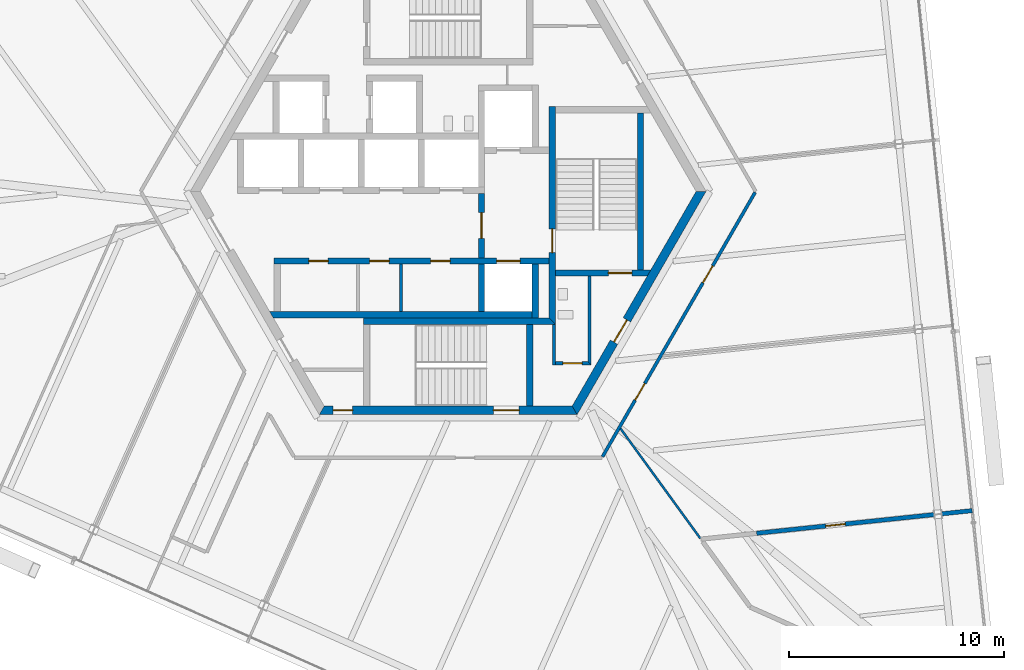
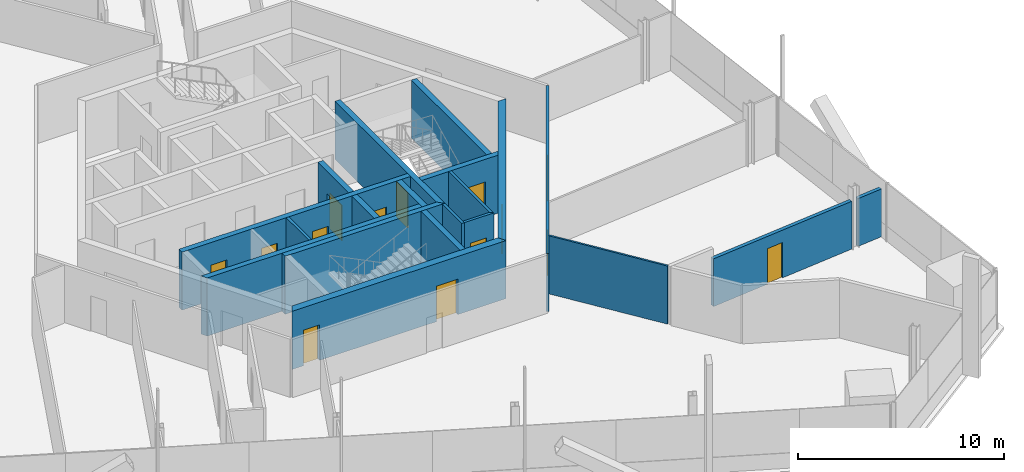
# One storey, part 12 of 21: 20 walls, 14 doors, 14 openings.
"""IFC4 building model written with IfcOpenShell, lengths in metres."""

from ifc_helpers import new_model, si_unit, direction, frame, frame_2d, origin, place, context, subcontext, project, spatial, polyline, rectangle, outline, extrude, source, transform, mapped, material, layer, layer_set, type_object, element, fill, save


model = new_model("IFC4")

# Units and contexts
model_context = context("Model", 3, precision=1e-05, world=origin(), true_north=direction((0.0, 1.0)))
body_context = subcontext(model_context, "Body", "Model", "MODEL_VIEW")
ifc_project = project(units=[si_unit("LENGTHUNIT", "METRE"), si_unit("AREAUNIT", "SQUARE_METRE"), si_unit("VOLUMEUNIT", "CUBIC_METRE"), si_unit("PLANEANGLEUNIT", "RADIAN"), si_unit("MASSUNIT", "GRAM", prefix="KILO")], contexts=[model_context])

# Site, building, storey
site_placement = place(None, origin())
site = spatial("IfcSite", under=ifc_project, at=site_placement, CompositionType="ELEMENT")
building_placement = place(site_placement, origin())
building = spatial("IfcBuilding", under=site, at=building_placement, Name="Triune Harvest Tower", CompositionType="ELEMENT")
storey_placement = place(building_placement, frame((0.0, 0.0, 65.699951171875)))
storey = spatial("IfcBuildingStorey", under=building, at=storey_placement, Name="L15", CompositionType="ELEMENT", Elevation=65.699951171875)

# Wall
ifc_material_1 = material(Name="Gypsum board on steel studs", Category="steel")
ifc_layer_1 = layer(ifc_material_1, 0.199951171875)
ifc_layer_set_1 = layer_set([ifc_layer_1], Name="Gypsum board on steel studs")
wall_type_1 = type_object("IfcWallType", Name="Fire Wall 200 mm", PredefinedType="PARTITIONING", material=ifc_layer_set_1)
wall_1_placement = place(storey_placement, frame((22.9736328125, -15.00537109375, 0.0), z_axis=(0.0, 0.0, 1.0), x_axis=(0.994509224768, 0.10464894577, 0.0)))
element("IfcWall", 1, at=wall_1_placement, inside=storey, type_object=wall_type_1, Name="Partition L15 023", PredefinedType="PARTITIONING", context=body_context, shape_type="SweptSolid", body=[
    extrude(rectangle(XDim=1.41845703125, YDim=0.199951171875, at=frame_2d((0.709228515625, 0.0))), origin(), (0.0, 0.0, 1.0), 2.827880859375),
])

# Wall, openings, doors
ifc_material_2 = material(Name="Concrete 70 MPa", Category="concrete")
ifc_layer_2 = layer(ifc_material_2, 0.39990234375)
ifc_layer_set_2 = layer_set([ifc_layer_2], Name="Concrete 70 MPa")
wall_type_2 = type_object("IfcWallType", Name="Core wall 400", PredefinedType="SHEAR", material=ifc_layer_set_2)
shared_shape_1 = source(origin(), body_context, "Body", "SweptSolid", [
    extrude(outline(polyline([(-0.115478515625, -0.199951171875), (11.884521484375, -0.199951171875), (11.653564453125, 0.199951171875), (0.115478515625, 0.199951171875), (-0.115478515625, -0.199951171875)])), origin(), (0.0, 0.0, 1.0), 3.43994140625),
])
wall_2_placement = place(storey_placement, frame((-5.884521484375, -10.1923828125, 0.0), z_axis=(0.0, 0.0, 1.0), x_axis=(1.0, 0.0, 0.0)))
wall_2 = element("IfcWall", 2, at=wall_2_placement, inside=storey, type_object=wall_type_2, Name="Hexagon 4 wall", PredefinedType="SHEAR", context=body_context, shape_type="MappedRepresentation", body=[
    mapped(shared_shape_1, transform((0.0, 0.0, 0.0), scale=1.0)),
])
opening_1_placement = place(wall_2_placement, frame((7.984619140625, 0.0, 0.0)))
opening_1 = element("IfcOpeningElement", 3, at=opening_1_placement, cuts=wall_2, Name="Opening CD-S2P", PredefinedType="OPENING", context=body_context, shape_type="SweptSolid", body=[
    extrude(rectangle(XDim=1.199951171875, YDim=2.10009765625, at=frame_2d((0.60009765625, 1.050048828125))), frame((0.0, 0.2099609375, 0.0), z_axis=(0.0, -1.0, 0.0), x_axis=(1.0, 0.0, 0.0)), (0.0, 0.0, 1.0), 0.419921875),
])
opening_2_placement = place(wall_2_placement, frame((0.534423828125, 0.0, 0.0)))
opening_2 = element("IfcOpeningElement", 4, at=opening_2_placement, cuts=wall_2, Name="Opening CD-SWS", PredefinedType="OPENING", context=body_context, shape_type="SweptSolid", body=[
    extrude(rectangle(XDim=0.89990234375, YDim=2.10009765625, at=frame_2d((0.449951171875, 1.050048828125))), frame((0.0, 0.2099609375, 0.0), z_axis=(0.0, -1.0, 0.0), x_axis=(1.0, 0.0, 0.0)), (0.0, 0.0, 1.0), 0.419921875),
])
ifc_material_3 = material(Name="Steel S235", Category="steel")
door_type_1 = type_object("IfcDoorType", Name="Riser door 900 FD120", OperationType="SINGLE_SWING_LEFT", PredefinedType="DOOR", material=ifc_material_3)
door_1_placement = place(opening_2_placement, frame((0.89990234375, 0.0, 0.0), z_axis=(0.0, 0.0, 1.0), x_axis=(-1.0, 0.0, 0.0)))
door_1 = element("IfcDoor", 5, at=door_1_placement, inside=storey, type_object=door_type_1, Name="Door CD-SWS", OperationType="SINGLE_SWING_RIGHT", OverallHeight=2.10009765625, OverallWidth=0.89990234375, PredefinedType="DOOR", context=body_context, shape_type="SweptSolid", body=[
    extrude(rectangle(XDim=0.89990234375, YDim=2.10009765625, at=frame_2d((0.449951171875, 1.050048828125))), frame((0.0, 0.02490234375, 0.0), z_axis=(0.0, -1.0, 0.0), x_axis=(1.0, 0.0, 0.0)), (0.0, 0.0, 1.0), 0.050048828125),
])
fill(opening_2, door_1)
ifc_material_4 = material(Name="Steel S235", Category="steel")
door_type_2 = type_object("IfcDoorType", Name="Stair door 1200 FD120", OperationType="SINGLE_SWING_LEFT", PredefinedType="DOOR", material=ifc_material_4)
door_2_placement = place(opening_1_placement, frame((1.199951171875, 0.0, 0.0), z_axis=(0.0, 0.0, 1.0), x_axis=(-1.0, 0.0, 0.0)))
door_2 = element("IfcDoor", 6, at=door_2_placement, inside=storey, type_object=door_type_2, Name="Door CD-S2P", OperationType="SINGLE_SWING_RIGHT", OverallHeight=2.10009765625, OverallWidth=1.199951171875, PredefinedType="DOOR", context=body_context, shape_type="SweptSolid", body=[
    extrude(rectangle(XDim=1.199951171875, YDim=2.10009765625, at=frame_2d((0.60009765625, 1.050048828125))), frame((0.0, 0.02490234375, 0.0), z_axis=(0.0, -1.0, 0.0), x_axis=(1.0, 0.0, 0.0)), (0.0, 0.0, 1.0), 0.050048828125),
])
fill(opening_1, door_2)

# Wall, opening, door
wall_3_placement = place(storey_placement, frame((5.884521484375, -10.1923828125, 0.0), z_axis=(0.0, 0.0, 1.0), x_axis=(0.499996592174, 0.866027371285, 0.0)))
wall_3 = element("IfcWall", 7, at=wall_3_placement, inside=storey, type_object=wall_type_2, Name="Hexagon 5 wall", PredefinedType="SHEAR", context=body_context, shape_type="MappedRepresentation", body=[
    mapped(shared_shape_1, transform((0.0, 0.0, 0.0), scale=1.0)),
])
opening_3_placement = place(wall_3_placement, frame((3.66455078125, 0.0, 0.0)))
opening_3 = element("IfcOpeningElement", 8, at=opening_3_placement, cuts=wall_3, Name="Opening CD-DP", PredefinedType="OPENING", context=body_context, shape_type="SweptSolid", body=[
    extrude(rectangle(XDim=1.199951171875, YDim=2.10009765625, at=frame_2d((0.60009765625, 1.050048828125))), frame((0.0, 0.2099609375, 0.0), z_axis=(0.0, -1.0, 0.0), x_axis=(1.0, 0.0, 0.0)), (0.0, 0.0, 1.0), 0.419921875),
])
door_3_placement = place(opening_3_placement, frame((1.199951171875, 0.0, 0.0), z_axis=(0.0, 0.0, 1.0), x_axis=(-1.0, 0.0, 0.0)))
door_3 = element("IfcDoor", 9, at=door_3_placement, inside=storey, type_object=door_type_2, Name="Door CD-DP", OperationType="SINGLE_SWING_RIGHT", OverallHeight=2.10009765625, OverallWidth=1.199951171875, PredefinedType="DOOR", context=body_context, shape_type="SweptSolid", body=[
    extrude(rectangle(XDim=1.199951171875, YDim=2.10009765625, at=frame_2d((0.60009765625, 1.050048828125))), frame((0.0, 0.02490234375, 0.0), z_axis=(0.0, -1.0, 0.0), x_axis=(1.0, 0.0, 0.0)), (0.0, 0.0, 1.0), 0.050048828125),
])
fill(opening_3, door_3)

# Wall
ifc_material_5 = material(Name="Concrete 70 MPa", Category="concrete")
ifc_layer_3 = layer(ifc_material_5, 0.300048828125)
ifc_layer_set_3 = layer_set([ifc_layer_3], Name="Concrete 70 MPa")
wall_type_3 = type_object("IfcWallType", Name="Core wall 300", PredefinedType="SHEAR", material=ifc_layer_set_3)
shared_shape_2 = source(origin(), body_context, "Body", "SweptSolid", [
    extrude(rectangle(XDim=2.5, YDim=0.300048828125, at=frame_2d((1.25, 0.0))), origin(), (0.0, 0.0, 1.0), 3.43994140625),
])
wall_4_placement = place(storey_placement, frame((4.050048828125, -5.889892578125, 0.0), z_axis=(0.0, 0.0, 1.0), x_axis=(0.0, 1.0, 0.0)))
element("IfcWall", 10, at=wall_4_placement, inside=storey, type_object=wall_type_3, Name="Ff2 east wall", PredefinedType="SHEAR", context=body_context, shape_type="MappedRepresentation", body=[
    mapped(shared_shape_2, transform((0.0, 0.0, 0.0), scale=1.0)),
])

# Wall, opening, door
shared_shape_3 = source(origin(), body_context, "Body", "SweptSolid", [
    extrude(rectangle(XDim=3.0, YDim=0.300048828125, at=frame_2d((1.5, 0.0))), origin(), (0.0, 0.0, 1.0), 3.43994140625),
])
wall_5_placement = place(storey_placement, frame((1.550048828125, -3.090087890625, 0.0), z_axis=(0.0, 0.0, 1.0), x_axis=(0.0, 1.0, 0.0)))
wall_5 = element("IfcWall", 11, at=wall_5_placement, inside=storey, type_object=wall_type_3, Name="Ff lobby west wall", PredefinedType="SHEAR", context=body_context, shape_type="MappedRepresentation", body=[
    mapped(shared_shape_3, transform((0.0, 0.0, 0.0), scale=1.0)),
])
opening_4_placement = place(wall_5_placement, frame((0.89990234375, 0.0, 0.0)))
opening_4 = element("IfcOpeningElement", 12, at=opening_4_placement, cuts=wall_5, Name="Opening CD-FL", PredefinedType="OPENING", context=body_context, shape_type="SweptSolid", body=[
    extrude(rectangle(XDim=1.199951171875, YDim=2.10009765625, at=frame_2d((0.60009765625, 1.050048828125))), frame((0.0, 0.16015625, 0.0), z_axis=(0.0, -1.0, 0.0), x_axis=(1.0, 0.0, 0.0)), (0.0, 0.0, 1.0), 0.320068359375),
])
ifc_material_6 = material(Name="Steel S235", Category="steel")
door_type_3 = type_object("IfcDoorType", Name="Firefighters' lobby door 1200 FD120", OperationType="SINGLE_SWING_LEFT", PredefinedType="DOOR", material=ifc_material_6)
door_4_placement = place(opening_4_placement, frame((1.199951171875, 0.0, 0.0), z_axis=(0.0, 0.0, 1.0), x_axis=(-1.0, 0.0, 0.0)))
door_4 = element("IfcDoor", 13, at=door_4_placement, inside=storey, type_object=door_type_3, Name="Door CD-FL", OperationType="SINGLE_SWING_RIGHT", OverallHeight=2.10009765625, OverallWidth=1.199951171875, PredefinedType="DOOR", context=body_context, shape_type="SweptSolid", body=[
    extrude(rectangle(XDim=1.199951171875, YDim=2.10009765625, at=frame_2d((0.60009765625, 1.050048828125))), frame((0.0, 0.02490234375, 0.0), z_axis=(0.0, -1.0, 0.0), x_axis=(1.0, 0.0, 0.0)), (0.0, 0.0, 1.0), 0.050048828125),
])
fill(opening_4, door_4)

# Wall, openings, doors
shared_shape_4 = source(origin(), body_context, "Body", "SweptSolid", [
    extrude(rectangle(XDim=12.800048828125, YDim=0.300048828125, at=frame_2d((6.39990234375, 0.0))), origin(), (0.0, 0.0, 1.0), 3.43994140625),
])
wall_6_placement = place(storey_placement, frame((-8.10009765625, -3.239990234375, 0.0), z_axis=(0.0, 0.0, 1.0), x_axis=(1.0, 0.0, 0.0)))
wall_6 = element("IfcWall", 14, at=wall_6_placement, inside=storey, type_object=wall_type_3, Name="South front wall", PredefinedType="SHEAR", context=body_context, shape_type="MappedRepresentation", body=[
    mapped(shared_shape_4, transform((0.0, 0.0, 0.0), scale=1.0)),
])
opening_5_placement = place(wall_6_placement, frame((1.612548828125, 0.0, 0.0)))
opening_5 = element("IfcOpeningElement", 15, at=opening_5_placement, cuts=wall_6, Name="Opening CD-RS1", PredefinedType="OPENING", context=body_context, shape_type="SweptSolid", body=[
    extrude(rectangle(XDim=0.89990234375, YDim=2.10009765625, at=frame_2d((0.449951171875, 1.050048828125))), frame((0.0, 0.16015625, 0.0), z_axis=(0.0, -1.0, 0.0), x_axis=(1.0, 0.0, 0.0)), (0.0, 0.0, 1.0), 0.320068359375),
])
opening_6_placement = place(wall_6_placement, frame((4.449951171875, 0.0, 0.0)))
opening_6 = element("IfcOpeningElement", 16, at=opening_6_placement, cuts=wall_6, Name="Opening CD-RS2", PredefinedType="OPENING", context=body_context, shape_type="SweptSolid", body=[
    extrude(rectangle(XDim=0.89990234375, YDim=2.10009765625, at=frame_2d((0.449951171875, 1.050048828125))), frame((0.0, 0.16015625, 0.0), z_axis=(0.0, -1.0, 0.0), x_axis=(1.0, 0.0, 0.0)), (0.0, 0.0, 1.0), 0.320068359375),
])
opening_7_placement = place(wall_6_placement, frame((7.28759765625, 0.0, 0.0)))
opening_7 = element("IfcOpeningElement", 17, at=opening_7_placement, cuts=wall_6, Name="Opening CD-RS3", PredefinedType="OPENING", context=body_context, shape_type="SweptSolid", body=[
    extrude(rectangle(XDim=0.89990234375, YDim=2.10009765625, at=frame_2d((0.449951171875, 1.050048828125))), frame((0.0, 0.16015625, 0.0), z_axis=(0.0, -1.0, 0.0), x_axis=(1.0, 0.0, 0.0)), (0.0, 0.0, 1.0), 0.320068359375),
])
opening_8_placement = place(wall_6_placement, frame((10.35009765625, 0.0, 0.0)))
opening_8 = element("IfcOpeningElement", 18, at=opening_8_placement, cuts=wall_6, Name="Opening LD-FF2-15", PredefinedType="OPENING", context=body_context, shape_type="SweptSolid", body=[
    extrude(rectangle(XDim=1.10009765625, YDim=2.10009765625, at=frame_2d((0.550048828125, 1.050048828125))), frame((0.0, 0.16015625, 0.0), z_axis=(0.0, -1.0, 0.0), x_axis=(1.0, 0.0, 0.0)), (0.0, 0.0, 1.0), 0.320068359375),
])
ifc_material_7 = material(Name="Stainless steel AISI 304", Category="steel")
door_type_4 = type_object("IfcDoorType", Name="Landing door 1100 x 2100", OperationType="DOUBLE_DOOR_SLIDING", PredefinedType="DOOR", material=ifc_material_7)
door_5_placement = place(opening_8_placement, origin())
door_5 = element("IfcDoor", 19, at=door_5_placement, inside=storey, type_object=door_type_4, Name="Door LD-FF2-15", OperationType="DOUBLE_DOOR_SLIDING", OverallHeight=2.10009765625, OverallWidth=1.10009765625, PredefinedType="DOOR", context=body_context, shape_type="SweptSolid", body=[
    extrude(rectangle(XDim=1.10009765625, YDim=2.10009765625, at=frame_2d((0.550048828125, 1.050048828125))), frame((0.0, 0.02490234375, 0.0), z_axis=(0.0, -1.0, 0.0), x_axis=(1.0, 0.0, 0.0)), (0.0, 0.0, 1.0), 0.050048828125),
])
fill(opening_8, door_5)
door_6_placement = place(opening_5_placement, origin())
door_6 = element("IfcDoor", 20, at=door_6_placement, inside=storey, type_object=door_type_1, Name="Door CD-RS1", OperationType="SINGLE_SWING_LEFT", OverallHeight=2.10009765625, OverallWidth=0.89990234375, PredefinedType="DOOR", context=body_context, shape_type="SweptSolid", body=[
    extrude(rectangle(XDim=0.89990234375, YDim=2.10009765625, at=frame_2d((0.449951171875, 1.050048828125))), frame((0.0, 0.02490234375, 0.0), z_axis=(0.0, -1.0, 0.0), x_axis=(1.0, 0.0, 0.0)), (0.0, 0.0, 1.0), 0.050048828125),
])
fill(opening_5, door_6)
door_7_placement = place(opening_6_placement, origin())
door_7 = element("IfcDoor", 21, at=door_7_placement, inside=storey, type_object=door_type_1, Name="Door CD-RS2", OperationType="SINGLE_SWING_LEFT", OverallHeight=2.10009765625, OverallWidth=0.89990234375, PredefinedType="DOOR", context=body_context, shape_type="SweptSolid", body=[
    extrude(rectangle(XDim=0.89990234375, YDim=2.10009765625, at=frame_2d((0.449951171875, 1.050048828125))), frame((0.0, 0.02490234375, 0.0), z_axis=(0.0, -1.0, 0.0), x_axis=(1.0, 0.0, 0.0)), (0.0, 0.0, 1.0), 0.050048828125),
])
fill(opening_6, door_7)
door_8_placement = place(opening_7_placement, origin())
door_8 = element("IfcDoor", 22, at=door_8_placement, inside=storey, type_object=door_type_1, Name="Door CD-RS3", OperationType="SINGLE_SWING_LEFT", OverallHeight=2.10009765625, OverallWidth=0.89990234375, PredefinedType="DOOR", context=body_context, shape_type="SweptSolid", body=[
    extrude(rectangle(XDim=0.89990234375, YDim=2.10009765625, at=frame_2d((0.449951171875, 1.050048828125))), frame((0.0, 0.02490234375, 0.0), z_axis=(0.0, -1.0, 0.0), x_axis=(1.0, 0.0, 0.0)), (0.0, 0.0, 1.0), 0.050048828125),
])
fill(opening_7, door_8)

# Walls
shared_shape_5 = source(origin(), body_context, "Body", "SweptSolid", [
    extrude(outline(polyline([(12.0, -0.14990234375), (-0.039794921875, -0.14990234375), (-0.212890625, 0.14990234375), (12.0, 0.14990234375), (12.0, -0.14990234375)])), origin(), (0.0, 0.0, 1.0), 3.43994140625),
])
wall_7_placement = place(storey_placement, frame((-8.10009765625, -5.739990234375, 0.0), z_axis=(0.0, 0.0, 1.0), x_axis=(1.0, 0.0, 0.0)))
element("IfcWall", 23, at=wall_7_placement, inside=storey, type_object=wall_type_3, Name="South back wall", PredefinedType="SHEAR", context=body_context, shape_type="MappedRepresentation", body=[
    mapped(shared_shape_5, transform((0.0, 0.0, 0.0), scale=1.0)),
])
shared_shape_6 = source(origin(), body_context, "Body", "SweptSolid", [
    extrude(rectangle(XDim=2.2001953125, YDim=0.300048828125, at=frame_2d((1.10009765625, 0.0))), origin(), (0.0, 0.0, 1.0), 3.43994140625),
])
wall_8_placement = place(storey_placement, frame((1.550048828125, -5.590087890625, 0.0), z_axis=(0.0, 0.0, 1.0), x_axis=(0.0, 1.0, 0.0)))
element("IfcWall", 24, at=wall_8_placement, inside=storey, type_object=wall_type_3, Name="Ff2 west wall", PredefinedType="SHEAR", context=body_context, shape_type="MappedRepresentation", body=[
    mapped(shared_shape_6, transform((0.0, 0.0, 0.0), scale=1.0)),
])

# Wall, opening, door
shared_shape_7 = source(origin(), body_context, "Body", "SweptSolid", [
    extrude(outline(polyline([(-0.14990234375, -0.14990234375), (9.989990234375, -0.14990234375), (9.989990234375, 0.14990234375), (0.14990234375, 0.14990234375), (-0.14990234375, -0.14990234375)])), origin(), (0.0, 0.0, 1.0), 3.43994140625),
])
wall_9_placement = place(storey_placement, frame((4.85009765625, -6.0400390625, 0.0), z_axis=(0.0, 0.0, 1.0), x_axis=(0.0, 1.0, 0.0)))
wall_9 = element("IfcWall", 25, at=wall_9_placement, inside=storey, type_object=wall_type_3, Name="Stair e west wall", PredefinedType="SHEAR", context=body_context, shape_type="MappedRepresentation", body=[
    mapped(shared_shape_7, transform((0.0, 0.0, 0.0), scale=1.0)),
])
opening_9_placement = place(wall_9_placement, frame((3.18994140625, 0.0, 0.0)))
opening_9 = element("IfcOpeningElement", 26, at=opening_9_placement, cuts=wall_9, Name="Opening CD-S3L", PredefinedType="OPENING", context=body_context, shape_type="SweptSolid", body=[
    extrude(rectangle(XDim=1.10009765625, YDim=2.10009765625, at=frame_2d((0.550048828125, 1.050048828125))), frame((0.0, 0.16015625, 0.0), z_axis=(0.0, -1.0, 0.0), x_axis=(1.0, 0.0, 0.0)), (0.0, 0.0, 1.0), 0.320068359375),
])
ifc_material_8 = material(Name="Steel S235", Category="steel")
door_type_5 = type_object("IfcDoorType", Name="Stair door 1100 FD120", OperationType="SINGLE_SWING_LEFT", PredefinedType="DOOR", material=ifc_material_8)
door_9_placement = place(opening_9_placement, frame((1.10009765625, 0.0, 0.0), z_axis=(0.0, 0.0, 1.0), x_axis=(-1.0, 0.0, 0.0)))
door_9 = element("IfcDoor", 27, at=door_9_placement, inside=storey, type_object=door_type_5, Name="Door CD-S3L", OperationType="SINGLE_SWING_RIGHT", OverallHeight=2.10009765625, OverallWidth=1.10009765625, PredefinedType="DOOR", context=body_context, shape_type="SweptSolid", body=[
    extrude(rectangle(XDim=1.10009765625, YDim=2.10009765625, at=frame_2d((0.550048828125, 1.050048828125))), frame((0.0, 0.02490234375, 0.0), z_axis=(0.0, -1.0, 0.0), x_axis=(1.0, 0.0, 0.0)), (0.0, 0.0, 1.0), 0.050048828125),
])
fill(opening_9, door_9)

shared_shape_8 = source(origin(), body_context, "Body", "SweptSolid", [
    extrude(outline(polyline([(0.0, -0.14990234375), (0.0, 0.14990234375), (4.43310546875, 0.14990234375), (4.260009765625, -0.14990234375), (0.0, -0.14990234375)])), origin(), (0.0, 0.0, 1.0), 3.43994140625),
])
wall_10_placement = place(storey_placement, frame((5.0, -3.800048828125, 0.0), z_axis=(0.0, 0.0, 1.0), x_axis=(1.0, 0.0, 0.0)))
wall_10 = element("IfcWall", 28, at=wall_10_placement, inside=storey, type_object=wall_type_3, Name="Stair e south wall", PredefinedType="SHEAR", context=body_context, shape_type="MappedRepresentation", body=[
    mapped(shared_shape_8, transform((0.0, 0.0, 0.0), scale=1.0)),
])
opening_10_placement = place(wall_10_placement, frame((2.449951171875, 0.0, 0.0)))
opening_10 = element("IfcOpeningElement", 29, at=opening_10_placement, cuts=wall_10, Name="Opening CD-S3D", PredefinedType="OPENING", context=body_context, shape_type="SweptSolid", body=[
    extrude(rectangle(XDim=1.10009765625, YDim=2.10009765625, at=frame_2d((0.550048828125, 1.050048828125))), frame((0.0, 0.16015625, 0.0), z_axis=(0.0, -1.0, 0.0), x_axis=(1.0, 0.0, 0.0)), (0.0, 0.0, 1.0), 0.320068359375),
])
door_10_placement = place(opening_10_placement, frame((1.10009765625, 0.0, 0.0), z_axis=(0.0, 0.0, 1.0), x_axis=(-1.0, 0.0, 0.0)))
door_10 = element("IfcDoor", 30, at=door_10_placement, inside=storey, type_object=door_type_5, Name="Door CD-S3D", OperationType="SINGLE_SWING_RIGHT", OverallHeight=2.10009765625, OverallWidth=1.10009765625, PredefinedType="DOOR", context=body_context, shape_type="SweptSolid", body=[
    extrude(rectangle(XDim=1.10009765625, YDim=2.10009765625, at=frame_2d((0.550048828125, 1.050048828125))), frame((0.0, 0.02490234375, 0.0), z_axis=(0.0, -1.0, 0.0), x_axis=(1.0, 0.0, 0.0)), (0.0, 0.0, 1.0), 0.050048828125),
])
fill(opening_10, door_10)

# Walls
shared_shape_9 = source(origin(), body_context, "Body", "SweptSolid", [
    extrude(rectangle(XDim=7.2998046875, YDim=0.300048828125, at=frame_2d((3.64990234375, 0.0))), origin(), (0.0, 0.0, 1.0), 3.43994140625),
])
wall_11_placement = place(storey_placement, frame((8.949951171875, -3.64990234375, 0.0), z_axis=(0.0, 0.0, 1.0), x_axis=(0.0, 1.0, 0.0)))
element("IfcWall", 31, at=wall_11_placement, inside=storey, type_object=wall_type_3, Name="Stair e east wall", PredefinedType="SHEAR", context=body_context, shape_type="MappedRepresentation", body=[
    mapped(shared_shape_9, transform((0.0, 0.0, 0.0), scale=1.0)),
])
shared_shape_10 = source(origin(), body_context, "Body", "SweptSolid", [
    extrude(outline(polyline([(0.0, -0.14990234375), (8.949951171875, -0.14990234375), (8.64990234375, 0.14990234375), (0.0, 0.14990234375), (0.0, -0.14990234375)])), origin(), (0.0, 0.0, 1.0), 3.43994140625),
])
wall_12_placement = place(storey_placement, frame((-3.949951171875, -6.0400390625, 0.0), z_axis=(0.0, 0.0, 1.0), x_axis=(1.0, 0.0, 0.0)))
element("IfcWall", 32, at=wall_12_placement, inside=storey, type_object=wall_type_3, Name="Stair s north wall", PredefinedType="SHEAR", context=body_context, shape_type="MappedRepresentation", body=[
    mapped(shared_shape_10, transform((0.0, 0.0, 0.0), scale=1.0)),
])
shared_shape_11 = source(origin(), body_context, "Body", "SweptSolid", [
    extrude(outline(polyline([(3.800048828125, -0.14990234375), (-0.00439453125, -0.14990234375), (-0.00439453125, 0.14990234375), (3.800048828125, 0.14990234375), (3.800048828125, -0.14990234375)])), origin(), (0.0, 0.0, 1.0), 3.43994140625),
])
wall_13_placement = place(storey_placement, frame((3.800048828125, -9.989990234375, 0.0), z_axis=(0.0, 0.0, 1.0), x_axis=(0.0, 1.0, 0.0)))
element("IfcWall", 33, at=wall_13_placement, inside=storey, type_object=wall_type_3, Name="Stair s east wall", PredefinedType="SHEAR", context=body_context, shape_type="MappedRepresentation", body=[
    mapped(shared_shape_11, transform((0.0, 0.0, 0.0), scale=1.0)),
])

# Wall, opening, door
ifc_material_9 = material(Name="Concrete masonry unit", Category="masonry")
ifc_layer_4 = layer(ifc_material_9, 0.14990234375)
ifc_layer_set_4 = layer_set([ifc_layer_4], Name="Concrete masonry unit")
wall_type_4 = type_object("IfcWallType", Name="Block partition 150 unrated", PredefinedType="PARTITIONING", material=ifc_layer_set_4)
shared_shape_12 = source(origin(), body_context, "Body", "SweptSolid", [
    extrude(outline(polyline([(0.0, -0.074951171875), (1.64990234375, -0.074951171875), (1.5, 0.074951171875), (0.0, 0.074951171875), (0.0, -0.074951171875)])), origin(), (0.0, 0.0, 1.0), 3.43994140625),
])
wall_14_placement = place(storey_placement, frame((5.0, -8.0, 0.0), z_axis=(0.0, 0.0, 1.0), x_axis=(1.0, 0.0, 0.0)))
wall_14 = element("IfcWall", 34, at=wall_14_placement, inside=storey, type_object=wall_type_4, Name="Wc acc south wall", PredefinedType="PARTITIONING", context=body_context, shape_type="MappedRepresentation", body=[
    mapped(shared_shape_12, transform((0.0, 0.0, 0.0), scale=1.0)),
])
opening_11_placement = place(wall_14_placement, frame((0.33740234375, 0.0, 0.0)))
opening_11 = element("IfcOpeningElement", 35, at=opening_11_placement, cuts=wall_14, Name="Opening CD-WA", PredefinedType="OPENING", context=body_context, shape_type="SweptSolid", body=[
    extrude(rectangle(XDim=0.89990234375, YDim=2.10009765625, at=frame_2d((0.449951171875, 1.050048828125))), frame((0.0, 0.0849609375, 0.0), z_axis=(0.0, -1.0, 0.0), x_axis=(1.0, 0.0, 0.0)), (0.0, 0.0, 1.0), 0.169921875),
])
ifc_material_10 = material(Name="Timber C24", Category="wood")
door_type_6 = type_object("IfcDoorType", Name="WC door 900", OperationType="SINGLE_SWING_LEFT", PredefinedType="DOOR", material=ifc_material_10)
door_11_placement = place(opening_11_placement, origin())
door_11 = element("IfcDoor", 36, at=door_11_placement, inside=storey, type_object=door_type_6, Name="Door CD-WA", OperationType="SINGLE_SWING_LEFT", OverallHeight=2.10009765625, OverallWidth=0.89990234375, PredefinedType="DOOR", context=body_context, shape_type="SweptSolid", body=[
    extrude(rectangle(XDim=0.89990234375, YDim=2.10009765625, at=frame_2d((0.449951171875, 1.050048828125))), frame((0.0, 0.02490234375, 0.0), z_axis=(0.0, -1.0, 0.0), x_axis=(1.0, 0.0, 0.0)), (0.0, 0.0, 1.0), 0.050048828125),
])
fill(opening_11, door_11)

# Walls
ifc_material_11 = material(Name="Concrete masonry unit", Category="masonry")
ifc_layer_5 = layer(ifc_material_11, 0.14990234375)
ifc_layer_set_5 = layer_set([ifc_layer_5], Name="Concrete masonry unit")
wall_type_5 = type_object("IfcWallType", Name="Block partition 150", PredefinedType="PARTITIONING", material=ifc_layer_set_5)
shared_shape_13 = source(origin(), body_context, "Body", "SweptSolid", [
    extrude(rectangle(XDim=2.2001953125, YDim=0.14990234375, at=frame_2d((1.10009765625, 0.0))), origin(), (0.0, 0.0, 1.0), 3.43994140625),
])
wall_15_placement = place(storey_placement, frame((-2.199951171875, -5.590087890625, 0.0), z_axis=(0.0, 0.0, 1.0), x_axis=(0.0, 1.0, 0.0)))
element("IfcWall", 37, at=wall_15_placement, inside=storey, type_object=wall_type_5, Name="Row s part 2 wall", PredefinedType="PARTITIONING", context=body_context, shape_type="MappedRepresentation", body=[
    mapped(shared_shape_13, transform((0.0, 0.0, 0.0), scale=1.0)),
])
shared_shape_14 = source(origin(), body_context, "Body", "SweptSolid", [
    extrude(outline(polyline([(-0.074951171875, -0.074951171875), (4.050048828125, -0.074951171875), (4.050048828125, 0.074951171875), (0.074951171875, 0.074951171875), (-0.074951171875, -0.074951171875)])), origin(), (0.0, 0.0, 1.0), 3.43994140625),
])
wall_16_placement = place(storey_placement, frame((6.574951171875, -8.0, 0.0), z_axis=(0.0, 0.0, 1.0), x_axis=(0.0, 1.0, 0.0)))
element("IfcWall", 38, at=wall_16_placement, inside=storey, type_object=wall_type_4, Name="Wc acc east wall", PredefinedType="PARTITIONING", context=body_context, shape_type="MappedRepresentation", body=[
    mapped(shared_shape_14, transform((0.0, 0.0, 0.0), scale=1.0)),
])
shared_shape_15 = source(origin(), body_context, "Body", "SweptSolid", [
    extrude(rectangle(XDim=1.885009765625, YDim=0.14990234375, at=frame_2d((0.9423828125, 0.0))), origin(), (0.0, 0.0, 1.0), 3.43994140625),
])
wall_17_placement = place(storey_placement, frame((4.925048828125, -8.074951171875, 0.0), z_axis=(0.0, 0.0, 1.0), x_axis=(0.0, 1.0, 0.0)))
element("IfcWall", 39, at=wall_17_placement, inside=storey, type_object=wall_type_4, Name="Wc acc west wall", PredefinedType="PARTITIONING", context=body_context, shape_type="MappedRepresentation", body=[
    mapped(shared_shape_15, transform((0.0, 0.0, 0.0), scale=1.0)),
])
ifc_material_12 = material(Name="Gypsum board on steel studs", Category="steel")
ifc_layer_6 = layer(ifc_material_12, 0.10009765625)
ifc_layer_set_6 = layer_set([ifc_layer_6], Name="Gypsum board on steel studs")
wall_type_6 = type_object("IfcWallType", Name="Partition 100 mm", PredefinedType="PARTITIONING", material=ifc_layer_set_6)
shared_shape_16 = source(origin(), body_context, "Body", "SweptSolid", [
    extrude(rectangle(XDim=6.3095703125, YDim=0.10009765625, at=frame_2d((3.15478515625, 0.0))), origin(), (0.0, 0.0, 1.0), 3.43994140625),
])
wall_18_placement = place(storey_placement, frame((8.020263671875, -11.0390625, 0.0), z_axis=(0.0, 0.0, 1.0), x_axis=(0.587796618886, -0.80900873594, 0.0)))
element("IfcWall", 40, at=wall_18_placement, inside=storey, type_object=wall_type_6, Name="Partition L15 005", PredefinedType="PARTITIONING", context=body_context, shape_type="MappedRepresentation", body=[
    mapped(shared_shape_16, transform((0.0, 0.0, 0.0), scale=1.0)),
])

# Wall, opening, door
shared_shape_17 = source(origin(), body_context, "Body", "SweptSolid", [
    extrude(rectangle(XDim=8.291748046875, YDim=0.199951171875, at=frame_2d((4.14599609375, 0.0))), origin(), (0.0, 0.0, 1.0), 2.827880859375),
])
wall_19_placement = place(storey_placement, frame((14.355712890625, -15.910888671875, 0.0), z_axis=(0.0, 0.0, 1.0), x_axis=(0.994522219063, 0.104525383476, 0.0)))
wall_19 = element("IfcWall", 41, at=wall_19_placement, inside=storey, type_object=wall_type_1, Name="Partition L15 022a", PredefinedType="PARTITIONING", context=body_context, shape_type="MappedRepresentation", body=[
    mapped(shared_shape_17, transform((0.0, 0.0, 0.0), scale=1.0)),
])
opening_12_placement = place(wall_19_placement, frame((3.23828125, 0.0, 0.0)))
opening_12 = element("IfcOpeningElement", 42, at=opening_12_placement, cuts=wall_19, Name="Opening L15-001", PredefinedType="OPENING", context=body_context, shape_type="SweptSolid", body=[
    extrude(rectangle(XDim=0.89990234375, YDim=2.10009765625, at=frame_2d((0.449951171875, 1.050048828125))), frame((0.0, 0.10986328125, 0.0), z_axis=(0.0, -1.0, 0.0), x_axis=(1.0, 0.0, 0.0)), (0.0, 0.0, 1.0), 0.219970703125),
])
ifc_material_13 = material(Name="Timber and steel door set", Category="steel")
door_type_7 = type_object("IfcDoorType", Name="Single leaf door FD60 left hand 900 x 2100", OperationType="SINGLE_SWING_LEFT", PredefinedType="DOOR", material=ifc_material_13)
door_12_placement = place(opening_12_placement, origin())
door_12 = element("IfcDoor", 43, at=door_12_placement, inside=storey, type_object=door_type_7, Name="Door L15-001 Commercial Trial Kitchen 15.01", OperationType="SINGLE_SWING_LEFT", OverallHeight=2.10009765625, OverallWidth=0.89990234375, PredefinedType="DOOR", context=body_context, shape_type="SweptSolid", body=[
    extrude(rectangle(XDim=0.89990234375, YDim=2.10009765625, at=frame_2d((0.449951171875, 1.050048828125))), frame((0.0, 0.02490234375, 0.0), z_axis=(0.0, -1.0, 0.0), x_axis=(1.0, 0.0, 0.0)), (0.0, 0.0, 1.0), 0.050048828125),
])
fill(opening_12, door_12)

# Wall, openings, doors
ifc_material_14 = material(Name="Gypsum board on steel studs", Category="steel")
ifc_layer_7 = layer(ifc_material_14, 0.14990234375)
ifc_layer_set_7 = layer_set([ifc_layer_7], Name="Gypsum board on steel studs")
wall_type_7 = type_object("IfcWallType", Name="Fire Partition 150 mm", PredefinedType="PARTITIONING", material=ifc_layer_set_7)
shared_shape_18 = source(origin(), body_context, "Body", "SweptSolid", [
    extrude(rectangle(XDim=14.208740234375, YDim=0.14990234375, at=frame_2d((7.1044921875, 0.0))), origin(), (0.0, 0.0, 1.0), 3.43994140625),
])
wall_20_placement = place(storey_placement, frame((7.179931640625, -12.3486328125, 0.0), z_axis=(0.0, 0.0, 1.0), x_axis=(0.500005048139, 0.86602248922, 0.0)))
wall_20 = element("IfcWall", 44, at=wall_20_placement, inside=storey, type_object=wall_type_7, Name="Partition L15 030", PredefinedType="PARTITIONING", context=body_context, shape_type="MappedRepresentation", body=[
    mapped(shared_shape_18, transform((0.0, 0.0, 0.0), scale=1.0)),
])
opening_13_placement = place(wall_20_placement, frame((3.036865234375, 0.0, 0.0)))
opening_13 = element("IfcOpeningElement", 45, at=opening_13_placement, cuts=wall_20, Name="Opening L15-002", PredefinedType="OPENING", context=body_context, shape_type="SweptSolid", body=[
    extrude(rectangle(XDim=0.89990234375, YDim=2.10009765625, at=frame_2d((0.449951171875, 1.050048828125))), frame((0.0, 0.0849609375, 0.0), z_axis=(0.0, -1.0, 0.0), x_axis=(1.0, 0.0, 0.0)), (0.0, 0.0, 1.0), 0.169921875),
])
opening_14_placement = place(wall_20_placement, frame((9.350830078125, 0.0, 0.0)))
opening_14 = element("IfcOpeningElement", 46, at=opening_14_placement, cuts=wall_20, Name="Opening L15-003", PredefinedType="OPENING", context=body_context, shape_type="SweptSolid", body=[
    extrude(rectangle(XDim=0.89990234375, YDim=2.10009765625, at=frame_2d((0.449951171875, 1.050048828125))), frame((0.0, 0.0849609375, 0.0), z_axis=(0.0, -1.0, 0.0), x_axis=(1.0, 0.0, 0.0)), (0.0, 0.0, 1.0), 0.169921875),
])
ifc_material_15 = material(Name="Timber and steel door set", Category="steel")
door_type_8 = type_object("IfcDoorType", Name="Single leaf door FD30 left hand 900 x 2100", OperationType="SINGLE_SWING_LEFT", PredefinedType="DOOR", material=ifc_material_15)
door_13_placement = place(opening_14_placement, origin())
door_13 = element("IfcDoor", 47, at=door_13_placement, inside=storey, type_object=door_type_8, Name="Door L15-003 Project Room 15.03", OperationType="SINGLE_SWING_LEFT", OverallHeight=2.10009765625, OverallWidth=0.89990234375, PredefinedType="DOOR", context=body_context, shape_type="SweptSolid", body=[
    extrude(rectangle(XDim=0.89990234375, YDim=2.10009765625, at=frame_2d((0.449951171875, 1.050048828125))), frame((0.0, 0.02490234375, 0.0), z_axis=(0.0, -1.0, 0.0), x_axis=(1.0, 0.0, 0.0)), (0.0, 0.0, 1.0), 0.050048828125),
])
fill(opening_14, door_13)
ifc_material_16 = material(Name="Timber and steel door set", Category="steel")
door_type_9 = type_object("IfcDoorType", Name="Single leaf door FD30 right hand 900 x 2100", OperationType="SINGLE_SWING_RIGHT", PredefinedType="DOOR", material=ifc_material_16)
door_14_placement = place(opening_13_placement, origin())
door_14 = element("IfcDoor", 48, at=door_14_placement, inside=storey, type_object=door_type_9, Name="Door L15-002 Open Office 15.02", OperationType="SINGLE_SWING_RIGHT", OverallHeight=2.10009765625, OverallWidth=0.89990234375, PredefinedType="DOOR", context=body_context, shape_type="SweptSolid", body=[
    extrude(rectangle(XDim=0.89990234375, YDim=2.10009765625, at=frame_2d((0.449951171875, 1.050048828125))), frame((0.0, 0.02490234375, 0.0), z_axis=(0.0, -1.0, 0.0), x_axis=(1.0, 0.0, 0.0)), (0.0, 0.0, 1.0), 0.050048828125),
])
fill(opening_13, door_14)

save(model, "model.ifc")
